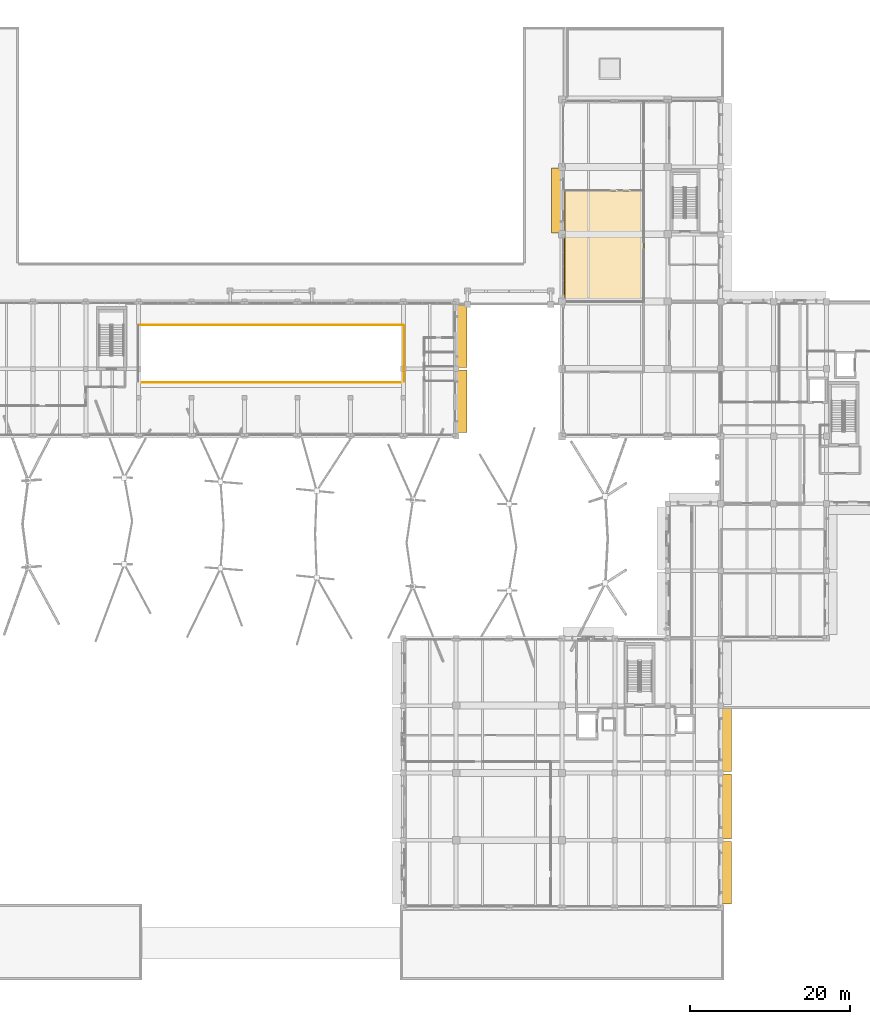
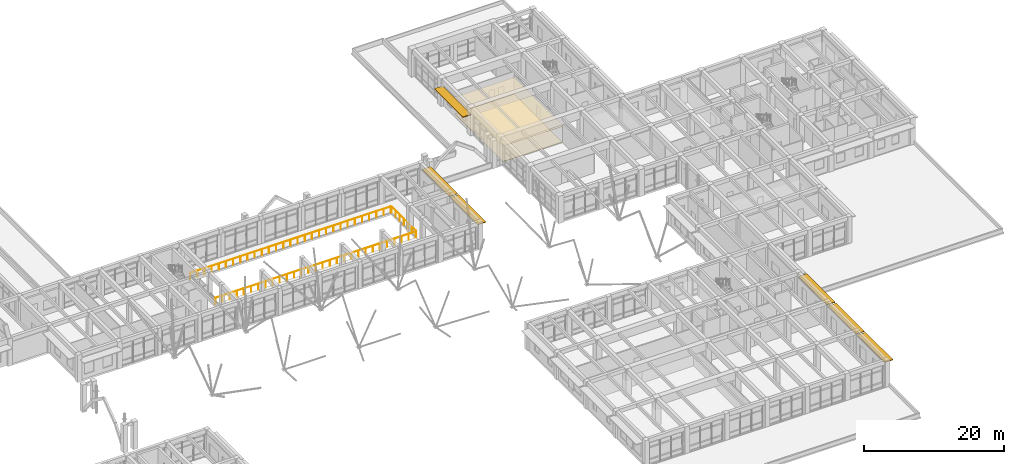
# One storey, part 70 of 75: 6 shading devices, 3 railings, 2 coverings.
"""IFC4 building model written with IfcOpenShell, lengths in metres."""

import ifcopenshell
import ifcopenshell.guid

model = None  # the IFC model being written
_history = None  # IfcOwnerHistory: only IFC2X3 demands one
_inside = {}  # id of a spatial element -> (the spatial element, [elements in it])
_under = {}  # id of a project, library or spatial element -> (it, [spatial elements below it])
_declared = {}  # id of a project -> (the project, [libraries it declares])
_typed = {}  # id of a type object -> (the type object, [elements of that type])
_made_of = {}  # id of a material, layer set ... -> (it, [elements and type objects made of it])


def new_model(schema):
    """Start an empty IFC model of exactly this schema.

    Asked for "IFC4X3", IfcOpenShell would pick the latest addendum, in which some entities
    have other attributes; the version numbers below select the first issue.
    IFC2X3 requires an IfcOwnerHistory on every rooted entity: one is made here for all.
    """
    global model, _history
    if schema == "IFC4X3":
        model = ifcopenshell.file(schema_version=(4, 3, 0, 0))
    else:
        model = ifcopenshell.file(schema=schema)
    _inside.clear()
    _under.clear()
    _declared.clear()
    _typed.clear()
    _made_of.clear()
    _history = None
    if model.schema == "IFC2X3":
        org = make("IfcOrganization", Name="unknown")
        user = make(
            "IfcPersonAndOrganization",
            ThePerson=make("IfcPerson", FamilyName="unknown"),
            TheOrganization=org,
        )
        app = make(
            "IfcApplication",
            ApplicationDeveloper=org,
            Version="unknown",
            ApplicationFullName="unknown",
            ApplicationIdentifier="unknown",
        )
        _history = make(
            "IfcOwnerHistory",
            OwningUser=user,
            OwningApplication=app,
            ChangeAction="ADDED",
            CreationDate=0,
        )
    return model


def make(cls, **values):
    """One entity of the class cls with the attributes given. An attribute that is None is left unset."""
    return model.create_entity(
        cls, **{name: value for name, value in values.items() if value is not None}
    )


def rooted(cls, **values):
    """An entity with a GlobalId (a new one), such as an element, a storey or a relation."""
    return make(cls, GlobalId=ifcopenshell.guid.new(), OwnerHistory=_history, **values)


def si_unit(unit_type, name, prefix=None):
    """IfcSIUnit, for example si_unit("LENGTHUNIT", "METRE", prefix="MILLI")."""
    return make("IfcSIUnit", UnitType=unit_type, Prefix=prefix, Name=name)


def assignment(units):
    """IfcUnitAssignment: the units of a project."""
    return None if units is None else make("IfcUnitAssignment", Units=units)


def point(xyz):
    """IfcCartesianPoint."""
    return None if xyz is None else make("IfcCartesianPoint", Coordinates=xyz)


def direction(xyz):
    """IfcDirection."""
    return None if xyz is None else make("IfcDirection", DirectionRatios=xyz)


def frame(location, z_axis=None, x_axis=None):
    """IfcAxis2Placement3D, a coordinate frame: its origin and axes. An axis left out is left unset."""
    return make(
        "IfcAxis2Placement3D",
        Location=point(location),
        Axis=direction(z_axis),
        RefDirection=direction(x_axis),
    )


def frame_2d(location, x_axis=None):
    """IfcAxis2Placement2D, a coordinate frame in the plane: its origin and x axis."""
    return make(
        "IfcAxis2Placement2D", Location=point(location), RefDirection=direction(x_axis)
    )


def origin():
    """The frame at (0, 0, 0) with its axes left unset."""
    return frame((0.0, 0.0, 0.0))


def origin_2d():
    """The frame at (0, 0) in the plane with its x axis left unset."""
    return frame_2d((0.0, 0.0))


def place(relative_to, where):
    """IfcLocalPlacement: puts the frame where relative to a parent placement (None: the world)."""
    return make(
        "IfcLocalPlacement", PlacementRelTo=relative_to, RelativePlacement=where
    )


def context(
    kind, dimensions, precision=None, world=None, true_north=None, identifier=None
):
    """IfcGeometricRepresentationContext, for example the 3D "Model" context."""
    return make(
        "IfcGeometricRepresentationContext",
        ContextIdentifier=identifier,
        ContextType=kind,
        CoordinateSpaceDimension=dimensions,
        Precision=precision,
        WorldCoordinateSystem=world,
        TrueNorth=true_north,
    )


def subcontext(parent, identifier, kind, view, scale=None):
    """IfcGeometricRepresentationSubContext, for example "Body" below "Model"."""
    return make(
        "IfcGeometricRepresentationSubContext",
        ContextIdentifier=identifier,
        ContextType=kind,
        ParentContext=parent,
        TargetScale=scale,
        TargetView=view,
    )


def project(units=None, contexts=None):
    """IfcProject with its units and contexts."""
    return rooted(
        "IfcProject",
        Name="project",
        RepresentationContexts=contexts,
        UnitsInContext=assignment(units),
    )


def spatial(cls, under=None, at=None, **own):
    """A site, building, storey or space (cls), placed at a placement, below another one or the project."""
    s = rooted(cls, ObjectPlacement=at, **own)
    if under is not None:
        _under.setdefault(under.id(), (under, []))[1].append(s)
    return s


def polyline(points):
    """IfcPolyline through the points."""
    return make("IfcPolyline", Points=[point(p) for p in points])


def profile(cls, at=None, kind="AREA", **sizes):
    """A parametric profile (cls). Its sizes go by their IFC names, for example OverallWidth=200.0."""
    return make(cls, ProfileType=kind, Position=at, **sizes)


def rectangle(**sizes):
    """IfcRectangleProfileDef."""
    return profile("IfcRectangleProfileDef", **sizes)


def circle(**sizes):
    """IfcCircleProfileDef."""
    return profile("IfcCircleProfileDef", **sizes)


def outline(outer, holes=None, kind="AREA"):
    """IfcArbitraryClosedProfileDef: a profile drawn as a closed curve; with holes, ...WithVoids."""
    if holes is None:
        return make("IfcArbitraryClosedProfileDef", ProfileType=kind, OuterCurve=outer)
    return make(
        "IfcArbitraryProfileDefWithVoids",
        ProfileType=kind,
        OuterCurve=outer,
        InnerCurves=holes,
    )


def extrude(swept, where, along, depth):
    """IfcExtrudedAreaSolid: the profile swept, set in the frame where, extruded along a direction by depth."""
    return make(
        "IfcExtrudedAreaSolid",
        SweptArea=swept,
        Position=where,
        ExtrudedDirection=direction(along),
        Depth=depth,
    )


def shape(context_of_items, identifier, shape_type, items):
    """IfcShapeRepresentation: the items that make up one representation, for example the "Body"."""
    return make(
        "IfcShapeRepresentation",
        ContextOfItems=context_of_items,
        RepresentationIdentifier=identifier,
        RepresentationType=shape_type,
        Items=items,
    )


def material(Name=None, Category=None):
    """IfcMaterial."""
    return make("IfcMaterial", Name=Name, Category=Category)


def layer(
    of_material, thickness, ventilated=None, Name=None, Category=None, Priority=None
):
    """IfcMaterialLayer: one layer of a wall or slab, of a material (None: an air gap)."""
    return make(
        "IfcMaterialLayer",
        Material=of_material,
        LayerThickness=thickness,
        IsVentilated=ventilated,
        Name=Name,
        Category=Category,
        Priority=Priority,
    )


def layer_set(layers, Name=None):
    """IfcMaterialLayerSet."""
    return make("IfcMaterialLayerSet", MaterialLayers=layers, LayerSetName=Name)


def made_of(thing, what):
    """Note that an element or type object is made of a material, layer set ...; save() writes the relation."""
    if what is not None:
        _made_of.setdefault(what.id(), (what, []))[1].append(thing)
    return thing


def type_object(cls, material=None, **own):
    """A type object (cls), such as IfcWallType, which elements share."""
    return made_of(rooted(cls, **own), material)


def element(
    cls,
    number,
    at=None,
    inside=None,
    cuts=None,
    type_object=None,
    material=None,
    context=None,
    identifier="Body",
    shape_type=None,
    held_by="IfcProductDefinitionShape",
    body=None,
    shapes=None,
    **own,
):
    """One element of the class cls, such as IfcWall. Its Tag is "e" and its number.

    at: its placement. inside: the storey or other place that contains it. cuts: it is an
    opening in that element (IfcRelVoidsElement). A single representation is given by context,
    identifier, shape_type and body (its items); several are given by shapes. held_by: the class
    of the entity that holds the representations. save() writes the other relations.
    """
    e = rooted(cls, Tag="e%d" % number, ObjectPlacement=at, **own)
    if body is not None:
        shapes = [shape(context, identifier, shape_type, body)]
    if shapes is not None:
        e.Representation = make(held_by, Representations=shapes)
    if inside is not None:
        _inside.setdefault(inside.id(), (inside, []))[1].append(e)
    if cuts is not None:
        rooted(
            "IfcRelVoidsElement", RelatingBuildingElement=cuts, RelatedOpeningElement=e
        )
    if type_object is not None:
        _typed.setdefault(type_object.id(), (type_object, []))[1].append(e)
    return made_of(e, material)


def aggregate(whole, parts):
    """IfcRelAggregates: a whole, such as a stair, and the parts it consists of."""
    return rooted("IfcRelAggregates", RelatingObject=whole, RelatedObjects=parts)


def save(model, path):
    """Write the relations noted so far, then the file.

    IfcRelAggregates (storeys below a building ...), IfcRelContainedInSpatialStructure (elements
    in a storey), IfcRelDefinesByType, IfcRelAssociatesMaterial and IfcRelDeclares: one each for
    every whole, place, type object, material and project.
    """
    for whole, parts in _under.values():
        aggregate(whole, parts)
    for where, things in _inside.values():
        rooted(
            "IfcRelContainedInSpatialStructure",
            RelatedElements=things,
            RelatingStructure=where,
        )
    for kind, things in _typed.values():
        rooted("IfcRelDefinesByType", RelatedObjects=things, RelatingType=kind)
    for what, things in _made_of.values():
        rooted("IfcRelAssociatesMaterial", RelatedObjects=things, RelatingMaterial=what)
    for by, libraries in _declared.values():
        rooted("IfcRelDeclares", RelatingContext=by, RelatedDefinitions=libraries)
    model.write(path)


model = new_model("IFC4")

# Units and contexts
model_context = context("Model", 3, precision=1e-05, world=origin(), true_north=direction((0.0, 1.0)))
body_context = subcontext(model_context, "Body", "Model", "MODEL_VIEW")
ifc_project = project(units=[si_unit("LENGTHUNIT", "METRE"), si_unit("AREAUNIT", "SQUARE_METRE"), si_unit("VOLUMEUNIT", "CUBIC_METRE"), si_unit("PLANEANGLEUNIT", "RADIAN"), si_unit("MASSUNIT", "GRAM", prefix="KILO")], contexts=[model_context])

# Site, building, storey
site_placement = place(None, origin())
site = spatial("IfcSite", under=ifc_project, at=site_placement, CompositionType="ELEMENT")
building_placement = place(site_placement, origin())
building = spatial("IfcBuilding", under=site, at=building_placement, Name="Kolvaren Faculty of Natural Sciences", CompositionType="ELEMENT")
storey_placement = place(building_placement, frame((0.0, 0.0, 5.39990234375)))
storey = spatial("IfcBuildingStorey", under=building, at=storey_placement, Name="L01", CompositionType="ELEMENT", Elevation=5.39990234375)

# Covering
ifc_material_1 = material(Name="Perforated mineral-fibre acoustic suspended ceiling tile")
ifc_layer_1 = layer(ifc_material_1, 0.02490234375)
ifc_layer_set_1 = layer_set([ifc_layer_1], Name="Perforated mineral-fibre acoustic suspended ceiling tile")
covering_type_1 = type_object("IfcCoveringType", Name="AcousticSuspendedCeiling_25", PredefinedType="CEILING", material=ifc_layer_set_1)
covering_1_placement = place(storey_placement, frame((0.0, 0.0, 2.8251953125)))
element("IfcCovering", 1, at=covering_1_placement, inside=storey, type_object=covering_type_1, Name="L01 Natural Sciences Reference Library Hall acoustic ceiling", PredefinedType="CEILING", context=body_context, shape_type="SweptSolid", body=[
    extrude(outline(polyline([(119.239990234375, 92.14990234375), (119.449951171875, 92.14990234375), (119.449951171875, 93.050048828125), (119.239990234375, 93.050048828125), (119.239990234375, 98.139892578125), (129.280029296875, 98.139892578125), (129.280029296875, 84.1201171875), (119.449951171875, 84.1201171875), (119.449951171875, 84.64990234375), (119.239990234375, 84.64990234375), (119.239990234375, 92.14990234375)])), origin(), (0.0, 0.0, 1.0), 0.02490234375),
])

# Shading devices
ifc_material_2 = material(Name="Precast concrete C35/45", Category="concrete")
ifc_layer_2 = layer(ifc_material_2, 0.1201171875)
ifc_layer_set_2 = layer_set([ifc_layer_2], Name="Precast concrete C35/45")
shading_device_type = type_object("IfcShadingDeviceType", Name="ChhajjaSolarHood_1350", PredefinedType="AWNING", material=ifc_layer_set_2)
for number, where, z_axis, x_axis, name in (
    (2, (118.344970703125, 96.800048828125, 3.14501953125), (0.0, 0.0, 1.0), (0.0, 1.0, 0.0), "L01 precast sandstone chhajja solar hood 41"),
    (3, (139.455078125, 29.60009765625, 3.844970703125), (0.0, 0.0, 1.0), (0.0, -1.0, 0.0), "L01 precast sandstone chhajja solar hood 57"),
    (4, (139.455078125, 21.199951171875, 3.844970703125), (0.0, 0.0, 1.0), (0.0, -1.0, 0.0), "L01 precast sandstone chhajja solar hood 58"),
):
    element("IfcShadingDevice", number, at=place(storey_placement, frame(where, z_axis=z_axis, x_axis=x_axis)), inside=storey, type_object=shading_device_type, Name=name, PredefinedType="AWNING", context=body_context, shape_type="SweptSolid", body=[
        extrude(rectangle(XDim=8.10009765625, YDim=1.35009765625, at=origin_2d()), origin(), (0.0, 0.0, 1.0), 0.1201171875),
    ])
for number, where, z_axis, x_axis, name in (
    (5, (139.455078125, 12.9599609375, 3.844970703125), (0.0, 0.0, 1.0), (0.0, -1.0, 0.0), "L01 precast sandstone chhajja solar hood 59"),
    (6, (106.455078125, 79.840087890625, 3.695068359375), (0.0, 0.0, 1.0), (0.0, -1.0, 0.0), "L01 precast sandstone chhajja solar hood 78"),
    (7, (106.455078125, 71.760009765625, 3.695068359375), (0.0, 0.0, 1.0), (0.0, -1.0, 0.0), "L01 precast sandstone chhajja solar hood 79"),
):
    element("IfcShadingDevice", number, at=place(storey_placement, frame(where, z_axis=z_axis, x_axis=x_axis)), inside=storey, type_object=shading_device_type, Name=name, PredefinedType="AWNING", context=body_context, shape_type="SweptSolid", body=[
        extrude(rectangle(XDim=7.780029296875, YDim=1.35009765625, at=origin_2d()), origin(), (0.0, 0.0, 1.0), 0.1201171875),
    ])

# Railings
ifc_material_3 = material(Name="Structural steel EN 10210-1 S355J2H", Category="steel")
ifc_layer_3 = layer(ifc_material_3, 0.048095703125)
ifc_layer_set_3 = layer_set([ifc_layer_3], Name="Structural steel EN 10210-1 S355J2H")
railing_type = type_object("IfcRailingType", Name="GuardRailing_GDVOID1", PredefinedType="BALUSTRADE", material=ifc_layer_set_3)
railing_1_placement = place(storey_placement, frame((99.199951171875, 74.1201171875, 0.0)))
element("IfcRailing", 8, at=railing_1_placement, inside=storey, type_object=railing_type, Name="L01 atrium void balustrade 26", PredefinedType="BALUSTRADE", context=body_context, shape_type="SweptSolid", body=[
    extrude(circle(Radius=0.02392578125, at=origin_2d()), frame((0.0, 0.0, 1.09619140625), z_axis=(-1.0, 0.0, 0.0), x_axis=(0.0, -1.0, 0.0)), (0.0, 0.0, 1.0), 33.0),
    extrude(circle(Radius=0.02099609375, at=origin_2d()), origin(), (0.0, 0.0, 1.0), 1.072021484375),
    extrude(circle(Radius=0.02099609375, at=origin_2d()), frame((-1.178466796875, 0.0, 0.0)), (0.0, 0.0, 1.0), 1.072021484375),
    extrude(circle(Radius=0.02099609375, at=origin_2d()), frame((-2.357177734375, 0.0, 0.0)), (0.0, 0.0, 1.0), 1.072021484375),
    extrude(circle(Radius=0.02099609375, at=origin_2d()), frame((-3.53564453125, 0.0, 0.0)), (0.0, 0.0, 1.0), 1.072021484375),
    extrude(circle(Radius=0.02099609375, at=origin_2d()), frame((-4.71435546875, 0.0, 0.0)), (0.0, 0.0, 1.0), 1.072021484375),
    extrude(circle(Radius=0.02099609375, at=origin_2d()), frame((-5.892822265625, 0.0, 0.0)), (0.0, 0.0, 1.0), 1.072021484375),
    extrude(circle(Radius=0.02099609375, at=origin_2d()), frame((-7.071533203125, 0.0, 0.0)), (0.0, 0.0, 1.0), 1.072021484375),
    extrude(circle(Radius=0.02099609375, at=origin_2d()), frame((-8.25, 0.0, 0.0)), (0.0, 0.0, 1.0), 1.072021484375),
    extrude(circle(Radius=0.02099609375, at=origin_2d()), frame((-9.428466796875, 0.0, 0.0)), (0.0, 0.0, 1.0), 1.072021484375),
    extrude(circle(Radius=0.02099609375, at=origin_2d()), frame((-10.607177734375, 0.0, 0.0)), (0.0, 0.0, 1.0), 1.072021484375),
    extrude(circle(Radius=0.02099609375, at=origin_2d()), frame((-11.78564453125, 0.0, 0.0)), (0.0, 0.0, 1.0), 1.072021484375),
    extrude(circle(Radius=0.02099609375, at=origin_2d()), frame((-12.96435546875, 0.0, 0.0)), (0.0, 0.0, 1.0), 1.072021484375),
    extrude(circle(Radius=0.02099609375, at=origin_2d()), frame((-14.142822265625, 0.0, 0.0)), (0.0, 0.0, 1.0), 1.072021484375),
    extrude(circle(Radius=0.02099609375, at=origin_2d()), frame((-15.321533203125, 0.0, 0.0)), (0.0, 0.0, 1.0), 1.072021484375),
    extrude(circle(Radius=0.02099609375, at=origin_2d()), frame((-16.5, 0.0, 0.0)), (0.0, 0.0, 1.0), 1.072021484375),
    extrude(circle(Radius=0.02099609375, at=origin_2d()), frame((-17.678466796875, 0.0, 0.0)), (0.0, 0.0, 1.0), 1.072021484375),
    extrude(circle(Radius=0.02099609375, at=origin_2d()), frame((-18.857177734375, 0.0, 0.0)), (0.0, 0.0, 1.0), 1.072021484375),
    extrude(circle(Radius=0.02099609375, at=origin_2d()), frame((-20.03564453125, 0.0, 0.0)), (0.0, 0.0, 1.0), 1.072021484375),
    extrude(circle(Radius=0.02099609375, at=origin_2d()), frame((-21.21435546875, 0.0, 0.0)), (0.0, 0.0, 1.0), 1.072021484375),
    extrude(circle(Radius=0.02099609375, at=origin_2d()), frame((-22.392822265625, 0.0, 0.0)), (0.0, 0.0, 1.0), 1.072021484375),
    extrude(circle(Radius=0.02099609375, at=origin_2d()), frame((-23.571533203125, 0.0, 0.0)), (0.0, 0.0, 1.0), 1.072021484375),
    extrude(circle(Radius=0.02099609375, at=origin_2d()), frame((-24.75, 0.0, 0.0)), (0.0, 0.0, 1.0), 1.072021484375),
    extrude(circle(Radius=0.02099609375, at=origin_2d()), frame((-25.928466796875, 0.0, 0.0)), (0.0, 0.0, 1.0), 1.072021484375),
    extrude(circle(Radius=0.02099609375, at=origin_2d()), frame((-27.107177734375, 0.0, 0.0)), (0.0, 0.0, 1.0), 1.072021484375),
    extrude(circle(Radius=0.02099609375, at=origin_2d()), frame((-28.28564453125, 0.0, 0.0)), (0.0, 0.0, 1.0), 1.072021484375),
    extrude(circle(Radius=0.02099609375, at=origin_2d()), frame((-29.46435546875, 0.0, 0.0)), (0.0, 0.0, 1.0), 1.072021484375),
    extrude(circle(Radius=0.02099609375, at=origin_2d()), frame((-30.642822265625, 0.0, 0.0)), (0.0, 0.0, 1.0), 1.072021484375),
    extrude(circle(Radius=0.02099609375, at=origin_2d()), frame((-31.821533203125, 0.0, 0.0)), (0.0, 0.0, 1.0), 1.072021484375),
    extrude(circle(Radius=0.02099609375, at=origin_2d()), frame((-33.0, 0.0, 0.0)), (0.0, 0.0, 1.0), 1.072021484375),
])
railing_2_placement = place(storey_placement, frame((66.199951171875, 81.280029296875, 0.0)))
element("IfcRailing", 9, at=railing_2_placement, inside=storey, type_object=railing_type, Name="L01 atrium void balustrade 28", PredefinedType="BALUSTRADE", context=body_context, shape_type="SweptSolid", body=[
    extrude(circle(Radius=0.02392578125, at=origin_2d()), frame((0.0, 0.0, 1.09619140625), z_axis=(1.0, 0.0, 0.0), x_axis=(0.0, 1.0, 0.0)), (0.0, 0.0, 1.0), 33.0),
    extrude(circle(Radius=0.02099609375, at=origin_2d()), origin(), (0.0, 0.0, 1.0), 1.072021484375),
    extrude(circle(Radius=0.02099609375, at=origin_2d()), frame((1.178466796875, 0.0, 0.0)), (0.0, 0.0, 1.0), 1.072021484375),
    extrude(circle(Radius=0.02099609375, at=origin_2d()), frame((2.357177734375, 0.0, 0.0)), (0.0, 0.0, 1.0), 1.072021484375),
    extrude(circle(Radius=0.02099609375, at=origin_2d()), frame((3.53564453125, 0.0, 0.0)), (0.0, 0.0, 1.0), 1.072021484375),
    extrude(circle(Radius=0.02099609375, at=origin_2d()), frame((4.71435546875, 0.0, 0.0)), (0.0, 0.0, 1.0), 1.072021484375),
    extrude(circle(Radius=0.02099609375, at=origin_2d()), frame((5.892822265625, 0.0, 0.0)), (0.0, 0.0, 1.0), 1.072021484375),
    extrude(circle(Radius=0.02099609375, at=origin_2d()), frame((7.071533203125, 0.0, 0.0)), (0.0, 0.0, 1.0), 1.072021484375),
    extrude(circle(Radius=0.02099609375, at=origin_2d()), frame((8.25, 0.0, 0.0)), (0.0, 0.0, 1.0), 1.072021484375),
    extrude(circle(Radius=0.02099609375, at=origin_2d()), frame((9.428466796875, 0.0, 0.0)), (0.0, 0.0, 1.0), 1.072021484375),
    extrude(circle(Radius=0.02099609375, at=origin_2d()), frame((10.607177734375, 0.0, 0.0)), (0.0, 0.0, 1.0), 1.072021484375),
    extrude(circle(Radius=0.02099609375, at=origin_2d()), frame((11.78564453125, 0.0, 0.0)), (0.0, 0.0, 1.0), 1.072021484375),
    extrude(circle(Radius=0.02099609375, at=origin_2d()), frame((12.96435546875, 0.0, 0.0)), (0.0, 0.0, 1.0), 1.072021484375),
    extrude(circle(Radius=0.02099609375, at=origin_2d()), frame((14.142822265625, 0.0, 0.0)), (0.0, 0.0, 1.0), 1.072021484375),
    extrude(circle(Radius=0.02099609375, at=origin_2d()), frame((15.321533203125, 0.0, 0.0)), (0.0, 0.0, 1.0), 1.072021484375),
    extrude(circle(Radius=0.02099609375, at=origin_2d()), frame((16.5, 0.0, 0.0)), (0.0, 0.0, 1.0), 1.072021484375),
    extrude(circle(Radius=0.02099609375, at=origin_2d()), frame((17.678466796875, 0.0, 0.0)), (0.0, 0.0, 1.0), 1.072021484375),
    extrude(circle(Radius=0.02099609375, at=origin_2d()), frame((18.857177734375, 0.0, 0.0)), (0.0, 0.0, 1.0), 1.072021484375),
    extrude(circle(Radius=0.02099609375, at=origin_2d()), frame((20.03564453125, 0.0, 0.0)), (0.0, 0.0, 1.0), 1.072021484375),
    extrude(circle(Radius=0.02099609375, at=origin_2d()), frame((21.21435546875, 0.0, 0.0)), (0.0, 0.0, 1.0), 1.072021484375),
    extrude(circle(Radius=0.02099609375, at=origin_2d()), frame((22.392822265625, 0.0, 0.0)), (0.0, 0.0, 1.0), 1.072021484375),
    extrude(circle(Radius=0.02099609375, at=origin_2d()), frame((23.571533203125, 0.0, 0.0)), (0.0, 0.0, 1.0), 1.072021484375),
    extrude(circle(Radius=0.02099609375, at=origin_2d()), frame((24.75, 0.0, 0.0)), (0.0, 0.0, 1.0), 1.072021484375),
    extrude(circle(Radius=0.02099609375, at=origin_2d()), frame((25.928466796875, 0.0, 0.0)), (0.0, 0.0, 1.0), 1.072021484375),
    extrude(circle(Radius=0.02099609375, at=origin_2d()), frame((27.107177734375, 0.0, 0.0)), (0.0, 0.0, 1.0), 1.072021484375),
    extrude(circle(Radius=0.02099609375, at=origin_2d()), frame((28.28564453125, 0.0, 0.0)), (0.0, 0.0, 1.0), 1.072021484375),
    extrude(circle(Radius=0.02099609375, at=origin_2d()), frame((29.46435546875, 0.0, 0.0)), (0.0, 0.0, 1.0), 1.072021484375),
    extrude(circle(Radius=0.02099609375, at=origin_2d()), frame((30.642822265625, 0.0, 0.0)), (0.0, 0.0, 1.0), 1.072021484375),
    extrude(circle(Radius=0.02099609375, at=origin_2d()), frame((31.821533203125, 0.0, 0.0)), (0.0, 0.0, 1.0), 1.072021484375),
    extrude(circle(Radius=0.02099609375, at=origin_2d()), frame((33.0, 0.0, 0.0)), (0.0, 0.0, 1.0), 1.072021484375),
])
railing_3_placement = place(storey_placement, frame((99.280029296875, 81.199951171875, 0.0)))
element("IfcRailing", 10, at=railing_3_placement, inside=storey, type_object=railing_type, Name="L01 atrium void balustrade 29", PredefinedType="BALUSTRADE", context=body_context, shape_type="SweptSolid", body=[
    extrude(circle(Radius=0.02392578125, at=origin_2d()), frame((0.0, 0.0, 1.09619140625), z_axis=(0.0, -1.0, 0.0), x_axis=(1.0, 0.0, 0.0)), (0.0, 0.0, 1.0), 7.0),
    extrude(circle(Radius=0.02099609375, at=origin_2d()), origin(), (0.0, 0.0, 1.0), 1.072021484375),
    extrude(circle(Radius=0.02099609375, at=origin_2d()), frame((0.0, -1.166748046875, 0.0)), (0.0, 0.0, 1.0), 1.072021484375),
    extrude(circle(Radius=0.02099609375, at=origin_2d()), frame((0.0, -2.333251953125, 0.0)), (0.0, 0.0, 1.0), 1.072021484375),
    extrude(circle(Radius=0.02099609375, at=origin_2d()), frame((0.0, -3.5, 0.0)), (0.0, 0.0, 1.0), 1.072021484375),
    extrude(circle(Radius=0.02099609375, at=origin_2d()), frame((0.0, -4.666748046875, 0.0)), (0.0, 0.0, 1.0), 1.072021484375),
    extrude(circle(Radius=0.02099609375, at=origin_2d()), frame((0.0, -5.833251953125, 0.0)), (0.0, 0.0, 1.0), 1.072021484375),
    extrude(circle(Radius=0.02099609375, at=origin_2d()), frame((0.0, -7.0, 0.0)), (0.0, 0.0, 1.0), 1.072021484375),
])

# Covering
ifc_material_4 = material(Name="Polished Uruguayan grey granite terrazzo flooring", Category="masonry")
ifc_layer_4 = layer(ifc_material_4, 0.030029296875)
ifc_layer_set_4 = layer_set([ifc_layer_4], Name="Polished Uruguayan grey granite terrazzo flooring")
covering_type_2 = type_object("IfcCoveringType", Name="TerrazzoFloorFinish_30", PredefinedType="FLOORING", material=ifc_layer_set_4)
covering_2_placement = place(storey_placement, origin())
element("IfcCovering", 11, at=covering_2_placement, inside=storey, type_object=covering_type_2, Name="L01 Natural Sciences Reference Library Hall floor finish", PredefinedType="FLOORING", context=body_context, shape_type="SweptSolid", body=[
    extrude(outline(polyline([(119.449951171875, 84.260009765625), (119.449951171875, 84.64990234375), (119.3798828125, 84.64990234375), (119.3798828125, 92.14990234375), (119.449951171875, 92.14990234375), (119.449951171875, 93.050048828125), (119.3798828125, 93.050048828125), (119.3798828125, 98.0), (129.139892578125, 98.0), (129.139892578125, 84.260009765625), (119.449951171875, 84.260009765625)])), origin(), (0.0, 0.0, 1.0), 0.030029296875),
])

save(model, "model.ifc")
